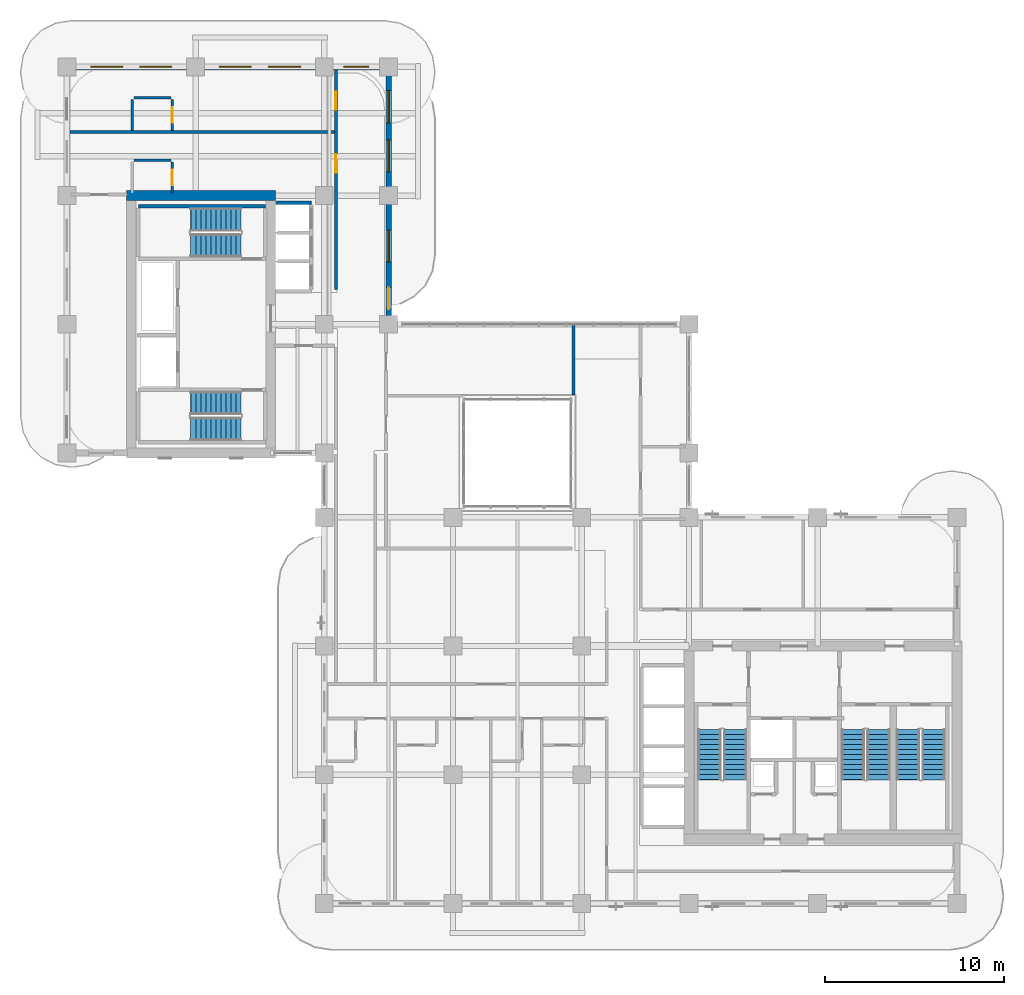
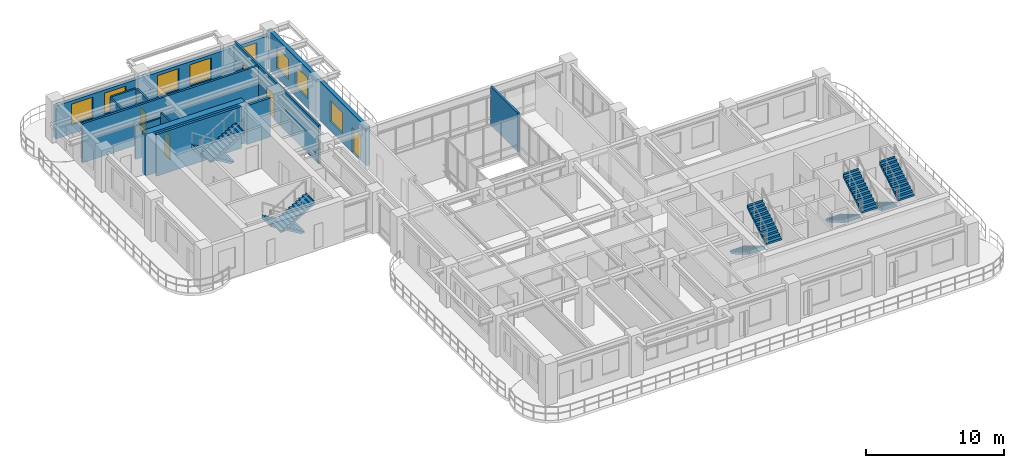
# One storey, part 15 of 20: 13 walls, 10 stair flights, 8 windows, 5 doors, 13 openings, 5 elements without a shape of their own.
"""IFC4 building model written with IfcOpenShell, lengths in metres."""

from ifc_helpers import new_model, si_unit, derived_unit, direction, frame, frame_2d, origin, place, context, subcontext, project, spatial, polyline, rectangle, outline, extrude, source, transform, mapped, material, layer, layer_set, type_object, type_shapes, element, fill, aggregate, save


model = new_model("IFC4")

# Units and contexts
model_context = context("Model", 3, precision=1e-05, world=origin(), true_north=direction((0.0, 1.0)))
body_context = subcontext(model_context, "Body", "Model", "MODEL_VIEW")
ifc_project = project(units=[si_unit("LENGTHUNIT", "METRE"), si_unit("AREAUNIT", "SQUARE_METRE"), si_unit("VOLUMEUNIT", "CUBIC_METRE"), si_unit("PLANEANGLEUNIT", "RADIAN"), si_unit("MASSUNIT", "GRAM", prefix="KILO"), si_unit("THERMODYNAMICTEMPERATUREUNIT", "KELVIN"), si_unit("POWERUNIT", "WATT"), derived_unit("THERMALTRANSMITTANCEUNIT", [(si_unit("POWERUNIT", "WATT"), 1), (si_unit("AREAUNIT", "SQUARE_METRE"), -1), (si_unit("THERMODYNAMICTEMPERATUREUNIT", "KELVIN"), -1)])], contexts=[model_context])

# Site, building, storey
site_placement = place(None, origin())
site = spatial("IfcSite", under=ifc_project, at=site_placement, CompositionType="ELEMENT")
building_placement = place(site_placement, origin())
building = spatial("IfcBuilding", under=site, at=building_placement, Name="Zahravan Archway Hotel and Residences", CompositionType="ELEMENT")
storey_placement = place(building_placement, frame((0.0, 0.0, 122.89990234375)))
storey = spatial("IfcBuildingStorey", under=building, at=storey_placement, Name="L30", CompositionType="ELEMENT", Elevation=122.89990234375)

# Wall
ifc_material_1 = material(Name="Concrete C70/85", Category="concrete")
ifc_layer_1 = layer(ifc_material_1, 0.550048828125, Name="Concrete C70/85", Category="concrete")
ifc_layer_set_1 = layer_set([ifc_layer_1], Name="Concrete C70/85")
wall_type_1 = type_object("IfcWallType", Name="CW-CORE-550", PredefinedType="SHEAR", material=ifc_layer_set_1)
wall_1_placement = place(storey_placement, frame((3.324951171875, 39.60009765625, 0.0), z_axis=(0.0, 0.0, 1.0), x_axis=(1.0, 0.0, 0.0)))
element("IfcWall", 1, at=wall_1_placement, inside=storey, type_object=wall_type_1, Name="L30 Core B Shear N Wall 550 mm", PredefinedType="SHEAR", context=body_context, shape_type="SweptSolid", body=[
    extrude(rectangle(XDim=8.35009765625, YDim=0.550048828125, at=frame_2d((4.175048828125, 0.0))), origin(), (0.0, 0.0, 1.0), 3.7001953125),
])

# Wall, openings, windows
ifc_material_2 = material(Name="Agra Buff Sandstone & Insulated Backup", Category="masonry")
ifc_layer_2 = layer(ifc_material_2, 0.320068359375, Name="Agra Buff Sandstone & Insulated Backup", Category="masonry")
ifc_layer_set_2 = layer_set([ifc_layer_2], Name="Agra Buff Sandstone & Insulated Backup")
wall_type_2 = type_object("IfcWallType", Name="EW-SAND-320", PredefinedType="SOLIDWALL", material=ifc_layer_set_2)
wall_2_placement = place(storey_placement, frame((0.0, 46.800048828125, 0.0), z_axis=(0.0, 0.0, 1.0), x_axis=(1.0, 0.0, 0.0)))
wall_2 = element("IfcWall", 2, at=wall_2_placement, inside=storey, type_object=wall_type_2, Name="L30 Exterior Sandstone Wall WB-N", PredefinedType="SOLIDWALL", context=body_context, shape_type="SweptSolid", body=[
    extrude(rectangle(XDim=18.0, YDim=0.320068359375, at=frame_2d((9.0, 0.0))), origin(), (0.0, 0.0, 1.0), 2.93505859375),
])
opening_1_placement = place(wall_2_placement, frame((1.324951171875, 0.0, 0.800048828125)))
opening_1 = element("IfcOpeningElement", 3, at=opening_1_placement, cuts=wall_2, Name="Opening W-02", PredefinedType="OPENING", context=body_context, shape_type="SweptSolid", body=[
    extrude(rectangle(XDim=1.800048828125, YDim=1.85009765625, at=frame_2d((0.89990234375, 0.925048828125))), frame((0.0, 0.169921875, 0.0), z_axis=(0.0, -1.0, 0.0), x_axis=(1.0, 0.0, 0.0)), (0.0, 0.0, 1.0), 0.340087890625),
])
opening_2_placement = place(wall_2_placement, frame((4.074951171875, 0.0, 0.800048828125)))
opening_2 = element("IfcOpeningElement", 4, at=opening_2_placement, cuts=wall_2, Name="Opening W-02", PredefinedType="OPENING", context=body_context, shape_type="SweptSolid", body=[
    extrude(rectangle(XDim=1.800048828125, YDim=1.85009765625, at=frame_2d((0.89990234375, 0.925048828125))), frame((0.0, 0.169921875, 0.0), z_axis=(0.0, -1.0, 0.0), x_axis=(1.0, 0.0, 0.0)), (0.0, 0.0, 1.0), 0.340087890625),
])
opening_3_placement = place(wall_2_placement, frame((8.52490234375, 0.0, 0.800048828125)))
opening_3 = element("IfcOpeningElement", 5, at=opening_3_placement, cuts=wall_2, Name="Opening W-02", PredefinedType="OPENING", context=body_context, shape_type="SweptSolid", body=[
    extrude(rectangle(XDim=1.800048828125, YDim=1.85009765625, at=frame_2d((0.89990234375, 0.925048828125))), frame((0.0, 0.169921875, 0.0), z_axis=(0.0, -1.0, 0.0), x_axis=(1.0, 0.0, 0.0)), (0.0, 0.0, 1.0), 0.340087890625),
])
opening_4_placement = place(wall_2_placement, frame((11.27490234375, 0.0, 0.800048828125)))
opening_4 = element("IfcOpeningElement", 6, at=opening_4_placement, cuts=wall_2, Name="Opening W-02", PredefinedType="OPENING", context=body_context, shape_type="SweptSolid", body=[
    extrude(rectangle(XDim=1.800048828125, YDim=1.85009765625, at=frame_2d((0.89990234375, 0.925048828125))), frame((0.0, 0.169921875, 0.0), z_axis=(0.0, -1.0, 0.0), x_axis=(1.0, 0.0, 0.0)), (0.0, 0.0, 1.0), 0.340087890625),
])
opening_5_placement = place(wall_2_placement, frame((15.5, 0.0, 0.800048828125)))
opening_5 = element("IfcOpeningElement", 7, at=opening_5_placement, cuts=wall_2, Name="Opening W-03", PredefinedType="OPENING", context=body_context, shape_type="SweptSolid", body=[
    extrude(rectangle(XDim=1.39990234375, YDim=1.85009765625, at=frame_2d((0.699951171875, 0.925048828125))), frame((0.0, 0.169921875, 0.0), z_axis=(0.0, -1.0, 0.0), x_axis=(1.0, 0.0, 0.0)), (0.0, 0.0, 1.0), 0.340087890625),
])
ifc_material_3 = material(Name="Bronze-Anodized Thermal-Break Aluminium & Low-E Glass", Category="aluminium")
window_type_1 = type_object("IfcWindowType", Name="WIN-TWR-1400", PartitioningType="SINGLE_PANEL", PredefinedType="WINDOW", material=ifc_material_3)
shared_shape_1 = source(origin(), body_context, "Body", "SweptSolid", [
    extrude(rectangle(XDim=1.39990234375, YDim=1.85009765625, at=frame_2d((0.699951171875, 0.925048828125))), frame((0.0, 0.030029296875, 0.0), z_axis=(0.0, -1.0, 0.0), x_axis=(1.0, 0.0, 0.0)), (0.0, 0.0, 1.0), 0.06005859375),
])
type_shapes(window_type_1, [shared_shape_1])
window_1_placement = place(opening_5_placement, origin())
window_1 = element("IfcWindow", 8, at=window_1_placement, inside=storey, type_object=window_type_1, Name="L30 Loggia Window 31", OverallHeight=1.85009765625, OverallWidth=1.39990234375, PartitioningType="SINGLE_PANEL", PredefinedType="WINDOW", context=body_context, shape_type="MappedRepresentation", body=[
    mapped(shared_shape_1, transform((0.0, 0.0, 0.0), scale=1.0)),
])
fill(opening_5, window_1)
window_type_2 = type_object("IfcWindowType", Name="WIN-TWR-1800", PartitioningType="DOUBLE_PANEL_VERTICAL", PredefinedType="WINDOW", material=ifc_material_3)
shared_shape_2 = source(origin(), body_context, "Body", "SweptSolid", [
    extrude(rectangle(XDim=1.800048828125, YDim=1.85009765625, at=frame_2d((0.89990234375, 0.925048828125))), frame((0.0, 0.030029296875, 0.0), z_axis=(0.0, -1.0, 0.0), x_axis=(1.0, 0.0, 0.0)), (0.0, 0.0, 1.0), 0.06005859375),
])
type_shapes(window_type_2, [shared_shape_2])
window_2_placement = place(opening_1_placement, origin())
window_2 = element("IfcWindow", 9, at=window_2_placement, inside=storey, type_object=window_type_2, Name="L30 Loggia Window 27", OverallHeight=1.85009765625, OverallWidth=1.800048828125, PartitioningType="DOUBLE_PANEL_VERTICAL", PredefinedType="WINDOW", context=body_context, shape_type="MappedRepresentation", body=[
    mapped(shared_shape_2, transform((0.0, 0.0, 0.0), scale=1.0)),
])
fill(opening_1, window_2)
window_3_placement = place(opening_2_placement, origin())
window_3 = element("IfcWindow", 10, at=window_3_placement, inside=storey, type_object=window_type_2, Name="L30 Loggia Window 28", OverallHeight=1.85009765625, OverallWidth=1.800048828125, PartitioningType="DOUBLE_PANEL_VERTICAL", PredefinedType="WINDOW", context=body_context, shape_type="MappedRepresentation", body=[
    mapped(shared_shape_2, transform((0.0, 0.0, 0.0), scale=1.0)),
])
fill(opening_2, window_3)
window_4_placement = place(opening_3_placement, origin())
window_4 = element("IfcWindow", 11, at=window_4_placement, inside=storey, type_object=window_type_2, Name="L30 Loggia Window 29", OverallHeight=1.85009765625, OverallWidth=1.800048828125, PartitioningType="DOUBLE_PANEL_VERTICAL", PredefinedType="WINDOW", context=body_context, shape_type="MappedRepresentation", body=[
    mapped(shared_shape_2, transform((0.0, 0.0, 0.0), scale=1.0)),
])
fill(opening_3, window_4)
window_5_placement = place(opening_4_placement, origin())
window_5 = element("IfcWindow", 12, at=window_5_placement, inside=storey, type_object=window_type_2, Name="L30 Loggia Window 30", OverallHeight=1.85009765625, OverallWidth=1.800048828125, PartitioningType="DOUBLE_PANEL_VERTICAL", PredefinedType="WINDOW", context=body_context, shape_type="MappedRepresentation", body=[
    mapped(shared_shape_2, transform((0.0, 0.0, 0.0), scale=1.0)),
])
fill(opening_4, window_5)

# Wall, openings, door, windows
wall_3_placement = place(storey_placement, frame((18.0, 32.39990234375, 0.0), z_axis=(0.0, 0.0, 1.0), x_axis=(0.0, 1.0, 0.0)))
wall_3 = element("IfcWall", 13, at=wall_3_placement, inside=storey, type_object=wall_type_2, Name="L30 Exterior Sandstone Wall WB-EU", PredefinedType="SOLIDWALL", context=body_context, shape_type="SweptSolid", body=[
    extrude(rectangle(XDim=14.35009765625, YDim=0.320068359375, at=frame_2d((7.175048828125, 0.0))), origin(), (0.0, 0.0, 1.0), 3.4501953125),
])
opening_6_placement = place(wall_3_placement, frame((0.85009765625, 0.0, 0.0)))
opening_6 = element("IfcOpeningElement", 14, at=opening_6_placement, cuts=wall_3, Name="Opening ED-BL1", PredefinedType="OPENING", context=body_context, shape_type="SweptSolid", body=[
    extrude(rectangle(XDim=1.199951171875, YDim=2.199951171875, at=frame_2d((0.60009765625, 1.10009765625))), frame((0.0, 0.169921875, 0.0), z_axis=(0.0, -1.0, 0.0), x_axis=(1.0, 0.0, 0.0)), (0.0, 0.0, 1.0), 0.340087890625),
])
opening_7_placement = place(wall_3_placement, frame((3.47509765625, 0.0, 0.800048828125)))
opening_7 = element("IfcOpeningElement", 15, at=opening_7_placement, cuts=wall_3, Name="Opening W-02", PredefinedType="OPENING", context=body_context, shape_type="SweptSolid", body=[
    extrude(rectangle(XDim=1.800048828125, YDim=1.85009765625, at=frame_2d((0.89990234375, 0.925048828125))), frame((0.0, 0.169921875, 0.0), z_axis=(0.0, -1.0, 0.0), x_axis=(1.0, 0.0, 0.0)), (0.0, 0.0, 1.0), 0.340087890625),
])
opening_8_placement = place(wall_3_placement, frame((8.52490234375, 0.0, 0.800048828125)))
opening_8 = element("IfcOpeningElement", 16, at=opening_8_placement, cuts=wall_3, Name="Opening W-02", PredefinedType="OPENING", context=body_context, shape_type="SweptSolid", body=[
    extrude(rectangle(XDim=1.800048828125, YDim=1.85009765625, at=frame_2d((0.89990234375, 0.925048828125))), frame((0.0, 0.169921875, 0.0), z_axis=(0.0, -1.0, 0.0), x_axis=(1.0, 0.0, 0.0)), (0.0, 0.0, 1.0), 0.340087890625),
])
opening_9_placement = place(wall_3_placement, frame((11.27490234375, 0.0, 0.800048828125)))
opening_9 = element("IfcOpeningElement", 17, at=opening_9_placement, cuts=wall_3, Name="Opening W-02", PredefinedType="OPENING", context=body_context, shape_type="SweptSolid", body=[
    extrude(rectangle(XDim=1.800048828125, YDim=1.85009765625, at=frame_2d((0.89990234375, 0.925048828125))), frame((0.0, 0.169921875, 0.0), z_axis=(0.0, -1.0, 0.0), x_axis=(1.0, 0.0, 0.0)), (0.0, 0.0, 1.0), 0.340087890625),
])
ifc_material_4 = material(Name="Bronze-Anodized Glazed Aluminium", Category="aluminium")
door_type_1 = type_object("IfcDoorType", Name="ED-BALC-1200", OperationType="SLIDING_TO_LEFT", PredefinedType="DOOR", material=ifc_material_4)
shared_shape_3 = source(origin(), body_context, "Body", "SweptSolid", [
    extrude(rectangle(XDim=1.199951171875, YDim=2.199951171875, at=frame_2d((0.60009765625, 1.10009765625))), frame((0.0, 0.02490234375, 0.0), z_axis=(0.0, -1.0, 0.0), x_axis=(1.0, 0.0, 0.0)), (0.0, 0.0, 1.0), 0.050048828125),
])
type_shapes(door_type_1, [shared_shape_3])
door_1_placement = place(opening_6_placement, origin())
door_1 = element("IfcDoor", 18, at=door_1_placement, inside=storey, type_object=door_type_1, Name="L30 Outdoor Access Sliding Door (SLB-BAL-L30-EB)", OperationType="SLIDING_TO_LEFT", OverallHeight=2.199951171875, OverallWidth=1.199951171875, PredefinedType="DOOR", context=body_context, shape_type="MappedRepresentation", body=[
    mapped(shared_shape_3, transform((0.0, 0.0, 0.0), scale=1.0)),
])
fill(opening_6, door_1)
window_6_placement = place(opening_7_placement, origin())
window_6 = element("IfcWindow", 19, at=window_6_placement, inside=storey, type_object=window_type_2, Name="L30 Loggia Window 32", OverallHeight=1.85009765625, OverallWidth=1.800048828125, PartitioningType="DOUBLE_PANEL_VERTICAL", PredefinedType="WINDOW", context=body_context, shape_type="MappedRepresentation", body=[
    mapped(shared_shape_2, transform((0.0, 0.0, 0.0), scale=1.0)),
])
fill(opening_7, window_6)
window_7_placement = place(opening_8_placement, origin())
window_7 = element("IfcWindow", 20, at=window_7_placement, inside=storey, type_object=window_type_2, Name="L30 Loggia Window 33", OverallHeight=1.85009765625, OverallWidth=1.800048828125, PartitioningType="DOUBLE_PANEL_VERTICAL", PredefinedType="WINDOW", context=body_context, shape_type="MappedRepresentation", body=[
    mapped(shared_shape_2, transform((0.0, 0.0, 0.0), scale=1.0)),
])
fill(opening_8, window_7)
window_8_placement = place(opening_9_placement, origin())
window_8 = element("IfcWindow", 21, at=window_8_placement, inside=storey, type_object=window_type_2, Name="L30 Loggia Window 34", OverallHeight=1.85009765625, OverallWidth=1.800048828125, PartitioningType="DOUBLE_PANEL_VERTICAL", PredefinedType="WINDOW", context=body_context, shape_type="MappedRepresentation", body=[
    mapped(shared_shape_2, transform((0.0, 0.0, 0.0), scale=1.0)),
])
fill(opening_9, window_8)

# Wall, openings, doors
ifc_material_5 = material(Name="Fire-Rated Gypsum & Concrete Block", Category="concrete")
ifc_layer_3 = layer(ifc_material_5, 0.159912109375, Name="Fire-Rated Gypsum & Concrete Block", Category="concrete")
ifc_layer_set_3 = layer_set([ifc_layer_3], Name="Fire-Rated Gypsum & Concrete Block")
wall_type_3 = type_object("IfcWallType", Name="PW-CORR-160", PredefinedType="PARTITIONING", material=ifc_layer_set_3)
wall_4_placement = place(storey_placement, frame((15.050048828125, 34.340087890625, 0.0), z_axis=(0.0, 0.0, 1.0), x_axis=(0.0, 1.0, 0.0)))
wall_4 = element("IfcWall", 22, at=wall_4_placement, inside=storey, type_object=wall_type_3, Name="L30 Partition WBN-C", PredefinedType="PARTITIONING", context=body_context, shape_type="SweptSolid", body=[
    extrude(rectangle(XDim=12.2919921875, YDim=0.159912109375, at=frame_2d((6.14599609375, 0.0))), origin(), (0.0, 0.0, 1.0), 3.4501953125),
])
opening_10_placement = place(wall_4_placement, frame((6.534912109375, 0.0, 0.0)))
opening_10 = element("IfcOpeningElement", 23, at=opening_10_placement, cuts=wall_4, Name="Opening D-U1", PredefinedType="OPENING", context=body_context, shape_type="SweptSolid", body=[
    extrude(rectangle(XDim=1.050048828125, YDim=2.25, at=frame_2d((0.52490234375, 1.125))), frame((0.0, 0.08984375, 0.0), z_axis=(0.0, -1.0, 0.0), x_axis=(1.0, 0.0, 0.0)), (0.0, 0.0, 1.0), 0.179931640625),
])
opening_11_placement = place(wall_4_placement, frame((10.06005859375, 0.0, 0.0)))
opening_11 = element("IfcOpeningElement", 24, at=opening_11_placement, cuts=wall_4, Name="Opening D-U2", PredefinedType="OPENING", context=body_context, shape_type="SweptSolid", body=[
    extrude(rectangle(XDim=1.0, YDim=2.199951171875, at=frame_2d((0.5, 1.10009765625))), frame((0.0, 0.08984375, 0.0), z_axis=(0.0, -1.0, 0.0), x_axis=(1.0, 0.0, 0.0)), (0.0, 0.0, 1.0), 0.179931640625),
])
ifc_material_6 = material(Name="Hardwood Veneer Timber", Category="wood")
door_type_2 = type_object("IfcDoorType", Name="ID-UNIT-1050", OperationType="NOTDEFINED", PredefinedType="DOOR", material=ifc_material_6)
shared_shape_4 = source(origin(), body_context, "Body", "SweptSolid", [
    extrude(rectangle(XDim=1.050048828125, YDim=2.25, at=frame_2d((0.52490234375, 1.125))), frame((0.0, 0.02490234375, 0.0), z_axis=(0.0, -1.0, 0.0), x_axis=(1.0, 0.0, 0.0)), (0.0, 0.0, 1.0), 0.050048828125),
])
type_shapes(door_type_2, [shared_shape_4])
door_2_placement = place(opening_10_placement, origin())
door_2 = element("IfcDoor", 25, at=door_2_placement, inside=storey, type_object=door_type_2, Name="L30 Hotel Guestroom 76 Entrance Door", OperationType="SINGLE_SWING_RIGHT", OverallHeight=2.25, OverallWidth=1.050048828125, PredefinedType="DOOR", context=body_context, shape_type="MappedRepresentation", body=[
    mapped(shared_shape_4, transform((0.0, 0.0, 0.0), scale=1.0)),
])
fill(opening_10, door_2)
door_type_3 = type_object("IfcDoorType", Name="ID-UNIT-1000", OperationType="NOTDEFINED", PredefinedType="DOOR", material=ifc_material_6)
shared_shape_5 = source(origin(), body_context, "Body", "SweptSolid", [
    extrude(rectangle(XDim=1.0, YDim=2.199951171875, at=frame_2d((0.5, 1.10009765625))), frame((0.0, 0.02490234375, 0.0), z_axis=(0.0, -1.0, 0.0), x_axis=(1.0, 0.0, 0.0)), (0.0, 0.0, 1.0), 0.050048828125),
])
type_shapes(door_type_3, [shared_shape_5])
door_3_placement = place(opening_11_placement, origin())
door_3 = element("IfcDoor", 26, at=door_3_placement, inside=storey, type_object=door_type_3, Name="L30 Hotel Guestroom 77 Entrance Door", OperationType="SINGLE_SWING_LEFT", OverallHeight=2.199951171875, OverallWidth=1.0, PredefinedType="DOOR", context=body_context, shape_type="MappedRepresentation", body=[
    mapped(shared_shape_5, transform((0.0, 0.0, 0.0), scale=1.0)),
])
fill(opening_11, door_3)

# Walls
wall_5_placement = place(storey_placement, frame((28.35009765625, 28.43994140625, 0.0), z_axis=(0.0, 0.0, 1.0), x_axis=(0.0, 1.0, 0.0)))
element("IfcWall", 27, at=wall_5_placement, inside=storey, type_object=wall_type_3, Name="L30 Partition ATR-NWE", PredefinedType="PARTITIONING", context=body_context, shape_type="SweptSolid", body=[
    extrude(rectangle(XDim=3.93212890625, YDim=0.159912109375, at=frame_2d((1.966064453125, 0.0))), origin(), (0.0, 0.0, 1.0), 3.4501953125),
])
ifc_layer_4 = layer(ifc_material_5, 0.199951171875, Name="Fire-Rated Gypsum & Concrete Block", Category="concrete")
ifc_layer_set_4 = layer_set([ifc_layer_4], Name="Fire-Rated Gypsum & Concrete Block")
wall_type_4 = type_object("IfcWallType", Name="PW-SHAFT-200", PredefinedType="PARTITIONING", material=ifc_layer_set_4)
wall_6_placement = place(storey_placement, frame((11.68505859375, 39.18994140625, 0.0), z_axis=(0.0, 0.0, 1.0), x_axis=(1.0, 0.0, 0.0)))
element("IfcWall", 28, at=wall_6_placement, inside=storey, type_object=wall_type_4, Name="L30 Partition B2-N", PredefinedType="PARTITIONING", context=body_context, shape_type="SweptSolid", body=[
    extrude(rectangle(XDim=1.98486328125, YDim=0.199951171875, at=frame_2d((0.992431640625, 0.0))), origin(), (0.0, 0.0, 1.0), 3.4501953125),
])
ifc_material_7 = material(Name="Acoustic Stud Partition")
ifc_layer_5 = layer(ifc_material_7, 0.169921875, Name="Acoustic Stud Partition")
ifc_layer_set_5 = layer_set([ifc_layer_5], Name="Acoustic Stud Partition")
wall_type_5 = type_object("IfcWallType", Name="PW-UNIT-170", PredefinedType="PARTITIONING", material=ifc_layer_set_5)
wall_7_placement = place(storey_placement, frame((0.16796875, 43.14990234375, 0.0), z_axis=(0.0, 0.0, 1.0), x_axis=(1.0, 0.0, 0.0)))
element("IfcWall", 29, at=wall_7_placement, inside=storey, type_object=wall_type_5, Name="L30 Partition WBN-M0", PredefinedType="PARTITIONING", context=body_context, shape_type="SweptSolid", body=[
    extrude(rectangle(XDim=14.7919921875, YDim=0.169921875, at=frame_2d((7.39599609375, 0.0))), origin(), (0.0, 0.0, 1.0), 3.4501953125),
])
ifc_material_8 = material(Name="Moisture-Resistant Blockwork", Category="masonry")
ifc_layer_6 = layer(ifc_material_8, 0.139892578125, Name="Moisture-Resistant Blockwork", Category="masonry")
ifc_layer_set_6 = layer_set([ifc_layer_6], Name="Moisture-Resistant Blockwork")
wall_type_6 = type_object("IfcWallType", Name="PW-WET-140", PredefinedType="PARTITIONING", material=ifc_layer_set_6)
wall_8_placement = place(storey_placement, frame((3.739990234375, 41.574951171875, 0.0), z_axis=(0.0, 0.0, 1.0), x_axis=(1.0, 0.0, 0.0)))
element("IfcWall", 30, at=wall_8_placement, inside=storey, type_object=wall_type_6, Name="L30 Partition HKB-H76", PredefinedType="PARTITIONING", context=body_context, shape_type="SweptSolid", body=[
    extrude(rectangle(XDim=2.070068359375, YDim=0.139892578125, at=frame_2d((1.03515625, 0.0))), origin(), (0.0, 0.0, 1.0), 2.93505859375),
])

# Wall, opening, door
wall_9_placement = place(storey_placement, frame((5.89990234375, 39.739990234375, 0.0), z_axis=(0.0, 0.0, 1.0), x_axis=(0.0, 1.0, 0.0)))
wall_9 = element("IfcWall", 31, at=wall_9_placement, inside=storey, type_object=wall_type_6, Name="L30 Partition HKB-V76", PredefinedType="PARTITIONING", context=body_context, shape_type="SweptSolid", body=[
    extrude(rectangle(XDim=1.7451171875, YDim=0.139892578125, at=frame_2d((0.87255859375, 0.0))), origin(), (0.0, 0.0, 1.0), 3.4501953125),
])
opening_12_placement = place(wall_9_placement, frame((0.447509765625, 0.0, 0.0)))
opening_12 = element("IfcOpeningElement", 32, at=opening_12_placement, cuts=wall_9, Name="Opening D-B1", PredefinedType="OPENING", context=body_context, shape_type="SweptSolid", body=[
    extrude(rectangle(XDim=0.85009765625, YDim=2.10009765625, at=frame_2d((0.425048828125, 1.050048828125))), frame((0.0, 0.080078125, 0.0), z_axis=(0.0, -1.0, 0.0), x_axis=(1.0, 0.0, 0.0)), (0.0, 0.0, 1.0), 0.159912109375),
])
door_type_4 = type_object("IfcDoorType", Name="ID-BATH-850", OperationType="NOTDEFINED", PredefinedType="DOOR", material=ifc_material_6)
shared_shape_6 = source(origin(), body_context, "Body", "SweptSolid", [
    extrude(rectangle(XDim=0.85009765625, YDim=2.10009765625, at=frame_2d((0.425048828125, 1.050048828125))), frame((0.0, 0.02490234375, 0.0), z_axis=(0.0, -1.0, 0.0), x_axis=(1.0, 0.0, 0.0)), (0.0, 0.0, 1.0), 0.050048828125),
])
type_shapes(door_type_4, [shared_shape_6])
door_4_placement = place(opening_12_placement, origin())
door_4 = element("IfcDoor", 33, at=door_4_placement, inside=storey, type_object=door_type_4, Name="L30 Guestroom 76 En-Suite Door", OperationType="SINGLE_SWING_RIGHT", OverallHeight=2.10009765625, OverallWidth=0.85009765625, PredefinedType="DOOR", context=body_context, shape_type="MappedRepresentation", body=[
    mapped(shared_shape_6, transform((0.0, 0.0, 0.0), scale=1.0)),
])
fill(opening_12, door_4)

# Walls
wall_10_placement = place(storey_placement, frame((3.64990234375, 43.239990234375, 0.0), z_axis=(0.0, 0.0, 1.0), x_axis=(0.0, 1.0, 0.0)))
element("IfcWall", 34, at=wall_10_placement, inside=storey, type_object=wall_type_6, Name="L30 Partition HKB-VL77", PredefinedType="PARTITIONING", context=body_context, shape_type="SweptSolid", body=[
    extrude(rectangle(XDim=1.7451171875, YDim=0.139892578125, at=frame_2d((0.87255859375, 0.0))), origin(), (0.0, 0.0, 1.0), 3.4501953125),
])
wall_11_placement = place(storey_placement, frame((3.739990234375, 45.074951171875, 0.0), z_axis=(0.0, 0.0, 1.0), x_axis=(1.0, 0.0, 0.0)))
element("IfcWall", 35, at=wall_11_placement, inside=storey, type_object=wall_type_6, Name="L30 Partition HKB-H77", PredefinedType="PARTITIONING", context=body_context, shape_type="SweptSolid", body=[
    extrude(rectangle(XDim=2.070068359375, YDim=0.139892578125, at=frame_2d((1.03515625, 0.0))), origin(), (0.0, 0.0, 1.0), 3.4501953125),
])

# Wall, opening, door
wall_12_placement = place(storey_placement, frame((5.89990234375, 43.239990234375, 0.0), z_axis=(0.0, 0.0, 1.0), x_axis=(0.0, 1.0, 0.0)))
wall_12 = element("IfcWall", 36, at=wall_12_placement, inside=storey, type_object=wall_type_6, Name="L30 Partition HKB-V77", PredefinedType="PARTITIONING", context=body_context, shape_type="SweptSolid", body=[
    extrude(rectangle(XDim=1.7451171875, YDim=0.139892578125, at=frame_2d((0.87255859375, 0.0))), origin(), (0.0, 0.0, 1.0), 3.4501953125),
])
opening_13_placement = place(wall_12_placement, frame((0.447509765625, 0.0, 0.0)))
opening_13 = element("IfcOpeningElement", 37, at=opening_13_placement, cuts=wall_12, Name="Opening D-B1", PredefinedType="OPENING", context=body_context, shape_type="SweptSolid", body=[
    extrude(rectangle(XDim=0.85009765625, YDim=2.10009765625, at=frame_2d((0.425048828125, 1.050048828125))), frame((0.0, 0.080078125, 0.0), z_axis=(0.0, -1.0, 0.0), x_axis=(1.0, 0.0, 0.0)), (0.0, 0.0, 1.0), 0.159912109375),
])
door_5_placement = place(opening_13_placement, origin())
door_5 = element("IfcDoor", 38, at=door_5_placement, inside=storey, type_object=door_type_4, Name="L30 Guestroom 77 En-Suite Door", OperationType="SINGLE_SWING_RIGHT", OverallHeight=2.10009765625, OverallWidth=0.85009765625, PredefinedType="DOOR", context=body_context, shape_type="MappedRepresentation", body=[
    mapped(shared_shape_6, transform((0.0, 0.0, 0.0), scale=1.0)),
])
fill(opening_13, door_5)

# Wall
ifc_material_9 = material(Name="Concrete C50/60", Category="concrete")
ifc_layer_7 = layer(ifc_material_9, 0.199951171875, Name="Concrete C50/60", Category="concrete")
ifc_layer_set_7 = layer_set([ifc_layer_7], Name="Concrete C50/60")
wall_type_7 = type_object("IfcWallType", Name="SW-STAIR-200", PredefinedType="SHEAR", material=ifc_layer_set_7)
wall_13_placement = place(storey_placement, frame((4.0, 39.0, 0.0), z_axis=(0.0, 0.0, 1.0), x_axis=(1.0, 0.0, 0.0)))
element("IfcWall", 39, at=wall_13_placement, inside=storey, type_object=wall_type_7, Name="L30 Stairwell RC Wall CB-SB2N", PredefinedType="SHEAR", context=body_context, shape_type="SweptSolid", body=[
    extrude(rectangle(XDim=7.10009765625, YDim=0.199951171875, at=frame_2d((3.550048828125, 0.0))), origin(), (0.0, 0.0, 1.0), 3.7001953125),
])

# Stair, stair flights
stair_type = type_object("IfcStairType", Name="STR-CORE-1300", PredefinedType="HALF_TURN_STAIR", material=ifc_material_9)
stair_1_placement = place(storey_placement, origin())
stair_1 = element("IfcStair", 40, at=stair_1_placement, inside=storey, type_object=stair_type, Name="L30 Core A Exit Stair 1", PredefinedType="HALF_TURN_STAIR")
ifc_layer_8 = layer(ifc_material_9, 0.199951171875, Name="Concrete C50/60", Category="concrete")
ifc_layer_set_8 = layer_set([ifc_layer_8], Name="Concrete C50/60")
stair_flight_type = type_object("IfcStairFlightType", Name="SFL-CORE-1300", PredefinedType="STRAIGHT", material=ifc_layer_set_8)
shared_shape_7 = source(origin(), body_context, "Body", "SweptSolid", [
    extrude(outline(polyline([(-0.01611328125, 0.0), (-0.01611328125, 0.168212890625), (0.280029296875, 0.168212890625), (0.280029296875, 0.33642578125), (0.56005859375, 0.33642578125), (0.56005859375, 0.504638671875), (0.840087890625, 0.504638671875), (0.840087890625, 0.672607421875), (1.1201171875, 0.672607421875), (1.1201171875, 0.8408203125), (1.39990234375, 0.8408203125), (1.39990234375, 1.009033203125), (1.679931640625, 1.009033203125), (1.679931640625, 1.17724609375), (1.9599609375, 1.17724609375), (1.9599609375, 1.345458984375), (2.239990234375, 1.345458984375), (2.239990234375, 1.513671875), (2.52001953125, 1.513671875), (2.52001953125, 1.681884765625), (2.800048828125, 1.681884765625), (2.800048828125, 1.85009765625), (2.816162109375, 1.85009765625), (2.816162109375, 1.5068359375), (0.291015625, 0.0), (-0.01611328125, 0.0)])), frame((0.0, 0.64990234375, 0.0), z_axis=(0.0, -1.0, 0.0), x_axis=(1.0, 0.0, 0.0)), (0.0, 0.0, 1.0), 1.300048828125),
])
stair_flight_1_placement = place(storey_placement, frame((35.949951171875, 9.72998046875, 0.0), z_axis=(0.0, 0.0, 1.0), x_axis=(0.0, -1.0, 0.0)))
stair_flight_1 = element("IfcStairFlight", 41, at=stair_flight_1_placement, type_object=stair_flight_type, Name="ST-A1 flight 1", NumberOfRisers=11, NumberOfTreads=10, PredefinedType="STRAIGHT", RiserHeight=0.168181818, TreadLength=0.28, context=body_context, shape_type="MappedRepresentation", body=[
    mapped(shared_shape_7, transform((0.0, 0.0, 0.0), scale=1.0)),
])
stair_flight_2_placement = place(storey_placement, frame((37.389892578125, 6.929931640625, 1.85009765625), z_axis=(0.0, 0.0, 1.0), x_axis=(0.0, 1.0, 0.0)))
stair_flight_2 = element("IfcStairFlight", 42, at=stair_flight_2_placement, type_object=stair_flight_type, Name="ST-A1 flight 2", NumberOfRisers=11, NumberOfTreads=10, PredefinedType="STRAIGHT", RiserHeight=0.168181818, TreadLength=0.28, context=body_context, shape_type="MappedRepresentation", body=[
    mapped(shared_shape_7, transform((0.0, 0.0, 0.0), scale=1.0)),
])
aggregate(stair_1, [stair_flight_1, stair_flight_2])

stair_2_placement = place(storey_placement, origin())
stair_2 = element("IfcStair", 43, at=stair_2_placement, inside=storey, type_object=stair_type, Name="L30 Core A Exit Stair 2", PredefinedType="HALF_TURN_STAIR")
stair_flight_3_placement = place(storey_placement, frame((43.969970703125, 9.72998046875, 0.0), z_axis=(0.0, 0.0, 1.0), x_axis=(0.0, -1.0, 0.0)))
stair_flight_3 = element("IfcStairFlight", 44, at=stair_flight_3_placement, type_object=stair_flight_type, Name="ST-A2 flight 1", NumberOfRisers=11, NumberOfTreads=10, PredefinedType="STRAIGHT", RiserHeight=0.168181818, TreadLength=0.28, context=body_context, shape_type="MappedRepresentation", body=[
    mapped(shared_shape_7, transform((0.0, 0.0, 0.0), scale=1.0)),
])
stair_flight_4_placement = place(storey_placement, frame((45.409912109375, 6.929931640625, 1.85009765625), z_axis=(0.0, 0.0, 1.0), x_axis=(0.0, 1.0, 0.0)))
stair_flight_4 = element("IfcStairFlight", 45, at=stair_flight_4_placement, type_object=stair_flight_type, Name="ST-A2 flight 2", NumberOfRisers=11, NumberOfTreads=10, PredefinedType="STRAIGHT", RiserHeight=0.168181818, TreadLength=0.28, context=body_context, shape_type="MappedRepresentation", body=[
    mapped(shared_shape_7, transform((0.0, 0.0, 0.0), scale=1.0)),
])
aggregate(stair_2, [stair_flight_3, stair_flight_4])

stair_3_placement = place(storey_placement, origin())
stair_3 = element("IfcStair", 46, at=stair_3_placement, inside=storey, type_object=stair_type, Name="L30 Core A Exit Stair 3", PredefinedType="HALF_TURN_STAIR")
stair_flight_5_placement = place(storey_placement, frame((47.050048828125, 9.72998046875, 0.0), z_axis=(0.0, 0.0, 1.0), x_axis=(0.0, -1.0, 0.0)))
stair_flight_5 = element("IfcStairFlight", 47, at=stair_flight_5_placement, type_object=stair_flight_type, Name="ST-A3 flight 1", NumberOfRisers=11, NumberOfTreads=10, PredefinedType="STRAIGHT", RiserHeight=0.168181818, TreadLength=0.28, context=body_context, shape_type="MappedRepresentation", body=[
    mapped(shared_shape_7, transform((0.0, 0.0, 0.0), scale=1.0)),
])
stair_flight_6_placement = place(storey_placement, frame((48.489990234375, 6.929931640625, 1.85009765625), z_axis=(0.0, 0.0, 1.0), x_axis=(0.0, 1.0, 0.0)))
stair_flight_6 = element("IfcStairFlight", 48, at=stair_flight_6_placement, type_object=stair_flight_type, Name="ST-A3 flight 2", NumberOfRisers=11, NumberOfTreads=10, PredefinedType="STRAIGHT", RiserHeight=0.168181818, TreadLength=0.28, context=body_context, shape_type="MappedRepresentation", body=[
    mapped(shared_shape_7, transform((0.0, 0.0, 0.0), scale=1.0)),
])
aggregate(stair_3, [stair_flight_5, stair_flight_6])

stair_4_placement = place(storey_placement, origin())
stair_4 = element("IfcStair", 49, at=stair_4_placement, inside=storey, type_object=stair_type, Name="L30 Core B Exit Stair 1", PredefinedType="HALF_TURN_STAIR")
stair_flight_7_placement = place(storey_placement, frame((9.72998046875, 27.989990234375, 0.0), z_axis=(0.0, 0.0, 1.0), x_axis=(-1.0, 0.0, 0.0)))
stair_flight_7 = element("IfcStairFlight", 50, at=stair_flight_7_placement, type_object=stair_flight_type, Name="ST-B1 flight 1", NumberOfRisers=11, NumberOfTreads=10, PredefinedType="STRAIGHT", RiserHeight=0.168181818, TreadLength=0.28, context=body_context, shape_type="MappedRepresentation", body=[
    mapped(shared_shape_7, transform((0.0, 0.0, 0.0), scale=1.0)),
])
stair_flight_8_placement = place(storey_placement, frame((6.929931640625, 26.550048828125, 1.85009765625), z_axis=(0.0, 0.0, 1.0), x_axis=(1.0, 0.0, 0.0)))
stair_flight_8 = element("IfcStairFlight", 51, at=stair_flight_8_placement, type_object=stair_flight_type, Name="ST-B1 flight 2", NumberOfRisers=11, NumberOfTreads=10, PredefinedType="STRAIGHT", RiserHeight=0.168181818, TreadLength=0.28, context=body_context, shape_type="MappedRepresentation", body=[
    mapped(shared_shape_7, transform((0.0, 0.0, 0.0), scale=1.0)),
])
aggregate(stair_4, [stair_flight_7, stair_flight_8])

stair_5_placement = place(storey_placement, origin())
stair_5 = element("IfcStair", 52, at=stair_5_placement, inside=storey, type_object=stair_type, Name="L30 Core B Exit Stair 2", PredefinedType="HALF_TURN_STAIR")
stair_flight_9_placement = place(storey_placement, frame((9.72998046875, 38.25, 0.0), z_axis=(0.0, 0.0, 1.0), x_axis=(-1.0, 0.0, 0.0)))
stair_flight_9 = element("IfcStairFlight", 53, at=stair_flight_9_placement, type_object=stair_flight_type, Name="ST-B2 flight 1", NumberOfRisers=11, NumberOfTreads=10, PredefinedType="STRAIGHT", RiserHeight=0.168181818, TreadLength=0.28, context=body_context, shape_type="MappedRepresentation", body=[
    mapped(shared_shape_7, transform((0.0, 0.0, 0.0), scale=1.0)),
])
stair_flight_10_placement = place(storey_placement, frame((6.929931640625, 36.81005859375, 1.85009765625), z_axis=(0.0, 0.0, 1.0), x_axis=(1.0, 0.0, 0.0)))
stair_flight_10 = element("IfcStairFlight", 54, at=stair_flight_10_placement, type_object=stair_flight_type, Name="ST-B2 flight 2", NumberOfRisers=11, NumberOfTreads=10, PredefinedType="STRAIGHT", RiserHeight=0.168181818, TreadLength=0.28, context=body_context, shape_type="MappedRepresentation", body=[
    mapped(shared_shape_7, transform((0.0, 0.0, 0.0), scale=1.0)),
])
aggregate(stair_5, [stair_flight_9, stair_flight_10])

save(model, "model.ifc")
